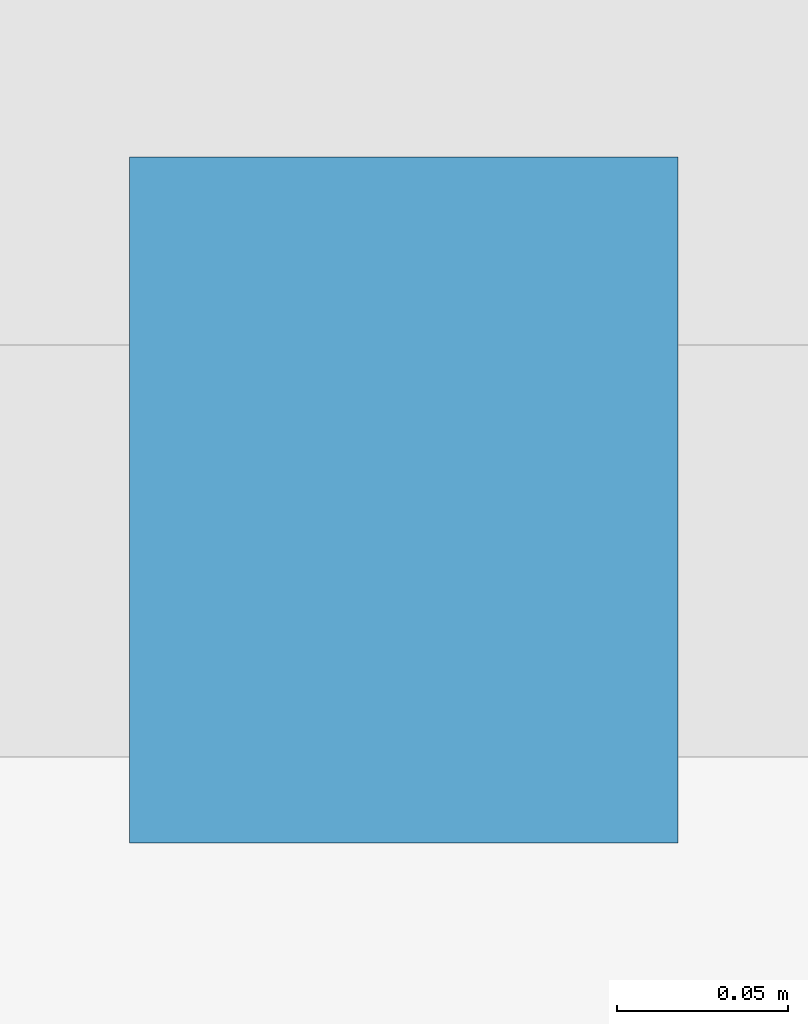
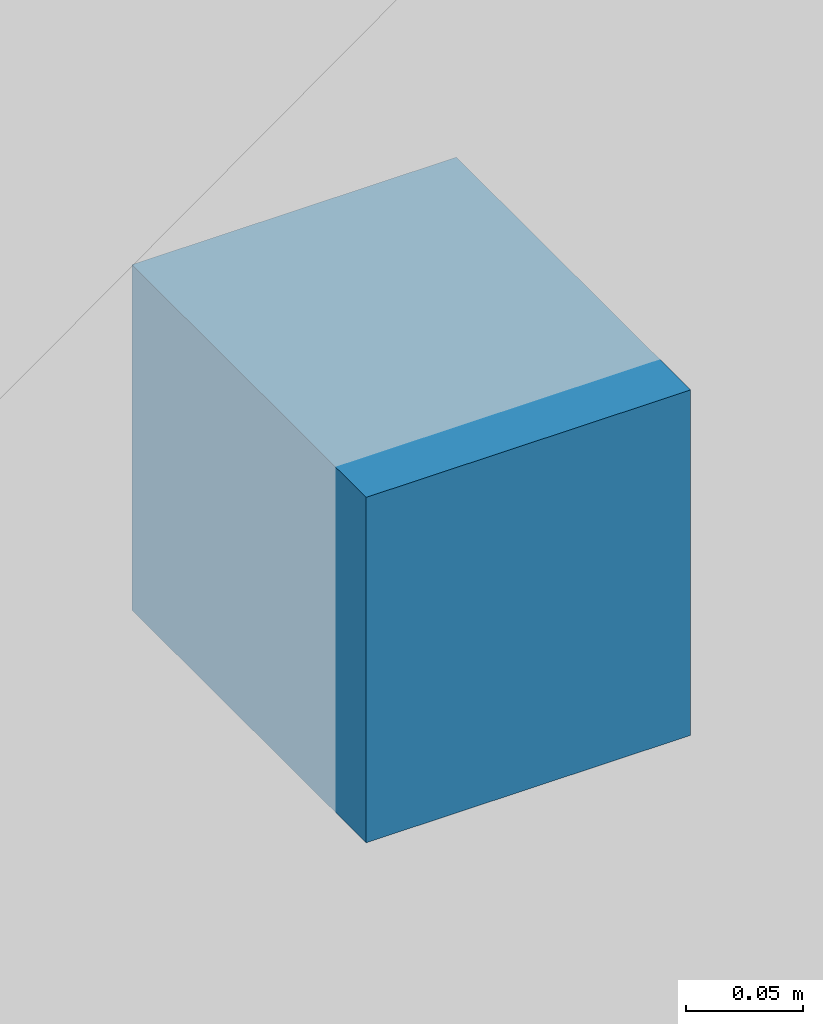
# One storey, part 20 of 27: 1 discrete accessory.
"""IFC4 building model written with IfcOpenShell, lengths in metres."""

from ifc_helpers import new_model, si_unit, direction, frame, origin, origin_2d, place, context, subcontext, project, spatial, rectangle, extrude, material, type_object, element, save


model = new_model("IFC4")

# Units and contexts
model_context = context("Model", 3, precision=1e-05, world=origin(), true_north=direction((0.0, 1.0)))
body_context = subcontext(model_context, "Body", "Model", "MODEL_VIEW")
ifc_project = project(units=[si_unit("LENGTHUNIT", "METRE"), si_unit("AREAUNIT", "SQUARE_METRE"), si_unit("VOLUMEUNIT", "CUBIC_METRE"), si_unit("PLANEANGLEUNIT", "RADIAN"), si_unit("MASSUNIT", "GRAM", prefix="KILO")], contexts=[model_context])

# Site, building, storey
site_placement = place(None, origin())
site = spatial("IfcSite", under=ifc_project, at=site_placement, CompositionType="ELEMENT")
building_placement = place(site_placement, origin())
building = spatial("IfcBuilding", under=site, at=building_placement, Name="Koriwani Terraces Tower", CompositionType="ELEMENT")
storey_placement = place(building_placement, frame((0.0, 0.0, 54.800048828125)))
storey = spatial("IfcBuildingStorey", under=building, at=storey_placement, Name="L12", CompositionType="ELEMENT", Elevation=54.800048828125)

# Discrete accessory
ifc_material = material(Name="Steel ASTM A572 Grade 50", Category="steel")
discrete_accessory_type = type_object("IfcDiscreteAccessoryType", Name="BAGUETTE_STANDOFF_BRACKET", PredefinedType="BRACKET", material=ifc_material)
discrete_accessory_placement = place(storey_placement, frame((79.800048828125, 33.2099609375, 1.68505859375), z_axis=(0.0, 0.0, 1.0), x_axis=(1.0, 0.0, 0.0)))
element("IfcDiscreteAccessory", 1, at=discrete_accessory_placement, inside=storey, type_object=discrete_accessory_type, Name="L12 Terracotta Baguette Bracket (NE-17)", PredefinedType="BRACKET", context=body_context, shape_type="SweptSolid", body=[
    extrude(rectangle(XDim=0.159912109375, YDim=0.199951171875, at=origin_2d()), origin(), (0.0, 0.0, 1.0), 0.179931640625),
])

save(model, "model.ifc")
